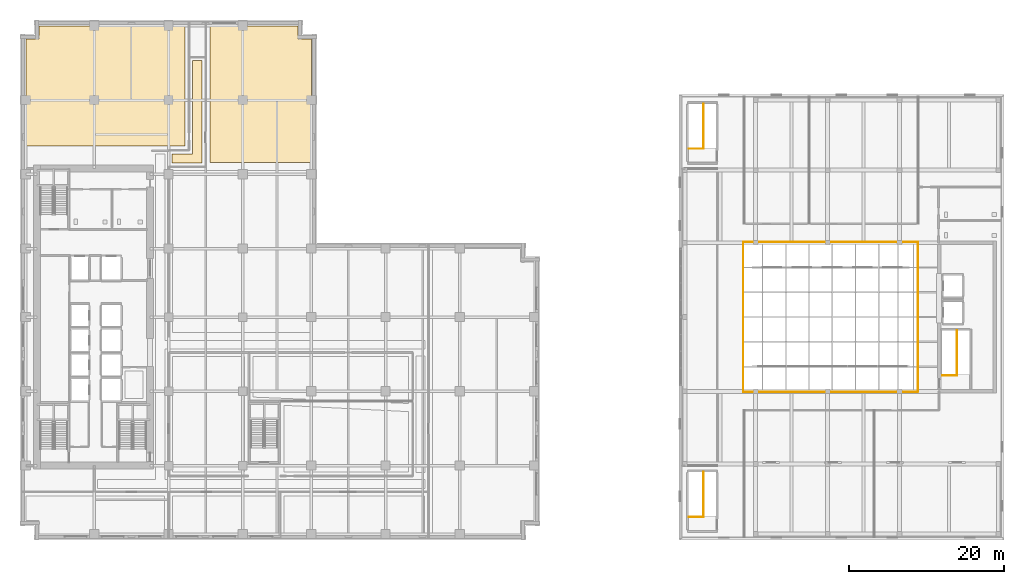
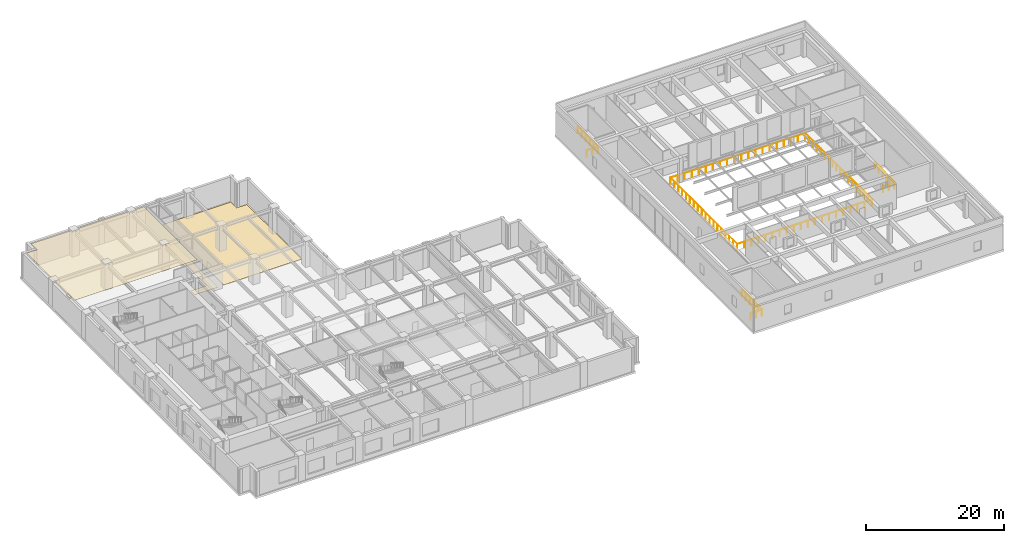
# One storey, part 20 of 21: 5 railings, 3 coverings.
"""IFC4 building model written with IfcOpenShell, lengths in metres."""

from ifc_helpers import new_model, si_unit, direction, frame, origin, origin_2d, place, context, subcontext, project, spatial, polyline, circle, outline, extrude, material, layer, layer_set, type_object, element, save


model = new_model("IFC4")

# Units and contexts
model_context = context("Model", 3, precision=1e-05, world=origin(), true_north=direction((0.0, 1.0)))
body_context = subcontext(model_context, "Body", "Model", "MODEL_VIEW")
ifc_project = project(units=[si_unit("LENGTHUNIT", "METRE"), si_unit("AREAUNIT", "SQUARE_METRE"), si_unit("VOLUMEUNIT", "CUBIC_METRE"), si_unit("PLANEANGLEUNIT", "RADIAN"), si_unit("MASSUNIT", "GRAM", prefix="KILO")], contexts=[model_context])

# Site, building, storey
site_placement = place(None, origin())
site = spatial("IfcSite", under=ifc_project, at=site_placement, CompositionType="ELEMENT")
building_placement = place(site_placement, origin())
building = spatial("IfcBuilding", under=site, at=building_placement, Name="Norrvale University Quadrangle", CompositionType="ELEMENT")
storey_placement = place(building_placement, frame((0.0, 0.0, 19.60009765625)))
storey = spatial("IfcBuildingStorey", under=building, at=storey_placement, Name="L04", CompositionType="ELEMENT", Elevation=19.60009765625)

# Coverings
ifc_material_1 = material(Name="Perforated Acoustic Mineral Ceiling")
ifc_layer_1 = layer(ifc_material_1, 0.02490234375, Name="Perforated Acoustic Mineral Ceiling")
ifc_layer_set_1 = layer_set([ifc_layer_1], Name="Perforated Acoustic Mineral Ceiling")
covering_type_1 = type_object("IfcCoveringType", Name="Covering Acoustic Ceiling 25", PredefinedType="CEILING", material=ifc_layer_set_1)
covering_1_placement = place(storey_placement, frame((0.0, 0.0, 4.31494140625)))
element("IfcCovering", 1, at=covering_1_placement, inside=storey, type_object=covering_type_1, Name="Acoustic Ceiling RM-L04-NW01", PredefinedType="CEILING", context=body_context, shape_type="SweptSolid", body=[
    extrude(outline(polyline([(21.320068359375, 66.449951171875), (21.320068359375, 50.8798828125), (0.75, 50.8798828125), (0.75, 64.72998046875), (2.469970703125, 64.72998046875), (2.469970703125, 66.449951171875), (21.320068359375, 66.449951171875)])), origin(), (0.0, 0.0, 1.0), 0.02490234375),
])
ifc_material_2 = material(Name="Polished Terrazzo Flooring")
ifc_layer_2 = layer(ifc_material_2, 0.02490234375, Name="Polished Terrazzo Flooring")
ifc_layer_set_2 = layer_set([ifc_layer_2], Name="Polished Terrazzo Flooring")
covering_type_2 = type_object("IfcCoveringType", Name="Covering Terrazzo Floor 30", PredefinedType="FLOORING", material=ifc_layer_set_2)
covering_2_placement = place(storey_placement, origin())
element("IfcCovering", 2, at=covering_2_placement, inside=storey, type_object=covering_type_2, Name="Terrazzo Flooring RM-L04-NCJOG", PredefinedType="FLOORING", context=body_context, shape_type="SweptSolid", body=[
    extrude(outline(polyline([(19.64990234375, 48.699951171875), (19.64990234375, 49.89990234375), (22.300048828125, 49.89990234375), (22.300048828125, 61.949951171875), (23.550048828125, 61.949951171875), (23.550048828125, 48.699951171875), (19.64990234375, 48.699951171875)])), origin(), (0.0, 0.0, 1.0), 0.02490234375),
])
covering_3_placement = place(storey_placement, origin())
element("IfcCovering", 3, at=covering_3_placement, inside=storey, type_object=covering_type_2, Name="Terrazzo Flooring RM-L04-NE01", PredefinedType="FLOORING", context=body_context, shape_type="SweptSolid", body=[
    extrude(outline(polyline([(37.64990234375, 48.780029296875), (24.530029296875, 48.780029296875), (24.530029296875, 66.449951171875), (35.929931640625, 66.449951171875), (35.929931640625, 64.72998046875), (37.64990234375, 64.72998046875), (37.64990234375, 48.780029296875)])), origin(), (0.0, 0.0, 1.0), 0.02490234375),
])

# Railings
ifc_material_3 = material(Name="Steel 350W Painted Balustrade", Category="steel")
railing_type_1 = type_object("IfcRailingType", Name="Railing Stair Guard 1100", PredefinedType="GUARDRAIL", material=ifc_material_3)
railing_1_placement = place(storey_placement, frame((119.239990234375, 21.260009765625, 0.0)))
element("IfcRailing", 4, at=railing_1_placement, inside=storey, type_object=railing_type_1, Name="Top Stairwell Guard ST-L1 L04", PredefinedType="GUARDRAIL", context=body_context, shape_type="SweptSolid", body=[
    extrude(circle(Radius=0.02392578125, at=origin_2d()), frame((0.0, 0.0, 1.1259765625), z_axis=(1.0, 0.0, 0.0), x_axis=(0.0, 1.0, 0.0)), (0.0, 0.0, 1.0), 1.89990234375),
    extrude(circle(Radius=0.02392578125, at=origin_2d()), frame((1.89990234375, 0.0, 1.1259765625), z_axis=(0.0, 1.0, 0.0), x_axis=(-1.0, 0.0, 0.0)), (0.0, 0.0, 1.0), 5.800048828125),
    extrude(circle(Radius=0.02099609375, at=origin_2d()), origin(), (0.0, 0.0, 1.0), 1.101806640625),
    extrude(circle(Radius=0.02099609375, at=origin_2d()), frame((0.949951171875, 0.0, 0.0)), (0.0, 0.0, 1.0), 1.101806640625),
    extrude(circle(Radius=0.02099609375, at=origin_2d()), frame((1.89990234375, 0.0, 0.0)), (0.0, 0.0, 1.0), 1.101806640625),
    extrude(circle(Radius=0.02099609375, at=origin_2d()), frame((1.89990234375, 1.159912109375, 0.0)), (0.0, 0.0, 1.0), 1.101806640625),
    extrude(circle(Radius=0.02099609375, at=origin_2d()), frame((1.89990234375, 2.320068359375, 0.0)), (0.0, 0.0, 1.0), 1.101806640625),
    extrude(circle(Radius=0.02099609375, at=origin_2d()), frame((1.89990234375, 3.47998046875, 0.0)), (0.0, 0.0, 1.0), 1.101806640625),
    extrude(circle(Radius=0.02099609375, at=origin_2d()), frame((1.89990234375, 4.64013671875, 0.0)), (0.0, 0.0, 1.0), 1.101806640625),
    extrude(circle(Radius=0.02099609375, at=origin_2d()), frame((1.89990234375, 5.800048828125, 0.0)), (0.0, 0.0, 1.0), 1.101806640625),
])
for number, where, name in (
    (5, (86.43994140625, 2.9599609375, 0.0), "Top Stairwell Guard ST-L2 L04"),
    (6, (86.43994140625, 50.56005859375, 0.0), "Top Stairwell Guard ST-L3 L04"),
):
    element("IfcRailing", number, at=place(storey_placement, frame(where)), inside=storey, type_object=railing_type_1, Name=name, PredefinedType="GUARDRAIL", context=body_context, shape_type="SweptSolid", body=[
        extrude(circle(Radius=0.02392578125, at=origin_2d()), frame((0.0, 0.0, 1.1259765625), z_axis=(1.0, 0.0, 0.0), x_axis=(0.0, 1.0, 0.0)), (0.0, 0.0, 1.0), 1.900146484375),
        extrude(circle(Radius=0.02392578125, at=origin_2d()), frame((1.900146484375, 0.0, 1.1259765625), z_axis=(0.0, 1.0, 0.0), x_axis=(-1.0, 0.0, 0.0)), (0.0, 0.0, 1.0), 5.800048828125),
        extrude(circle(Radius=0.02099609375, at=origin_2d()), origin(), (0.0, 0.0, 1.0), 1.101806640625),
        extrude(circle(Radius=0.02099609375, at=origin_2d()), frame((0.9501953125, 0.0, 0.0)), (0.0, 0.0, 1.0), 1.101806640625),
        extrude(circle(Radius=0.02099609375, at=origin_2d()), frame((1.900146484375, 0.0, 0.0)), (0.0, 0.0, 1.0), 1.101806640625),
        extrude(circle(Radius=0.02099609375, at=origin_2d()), frame((1.900146484375, 1.159912109375, 0.0)), (0.0, 0.0, 1.0), 1.101806640625),
        extrude(circle(Radius=0.02099609375, at=origin_2d()), frame((1.900146484375, 2.320068359375, 0.0)), (0.0, 0.0, 1.0), 1.101806640625),
        extrude(circle(Radius=0.02099609375, at=origin_2d()), frame((1.900146484375, 3.47998046875, 0.0)), (0.0, 0.0, 1.0), 1.101806640625),
        extrude(circle(Radius=0.02099609375, at=origin_2d()), frame((1.900146484375, 4.64013671875, 0.0)), (0.0, 0.0, 1.0), 1.101806640625),
        extrude(circle(Radius=0.02099609375, at=origin_2d()), frame((1.900146484375, 5.800048828125, 0.0)), (0.0, 0.0, 1.0), 1.101806640625),
    ])
ifc_material_4 = material(Name="Stainless Steel 316L Balustrade", Category="steel")
railing_type_2 = type_object("IfcRailingType", Name="Railing Terrace Guard 1150", PredefinedType="BALUSTRADE", material=ifc_material_4)
railing_2_placement = place(storey_placement, frame((93.5, 38.4599609375, 0.0)))
element("IfcRailing", 7, at=railing_2_placement, inside=storey, type_object=railing_type_2, Name="Central Library Atrium Balustrade SW L04", PredefinedType="BALUSTRADE", context=body_context, shape_type="SweptSolid", body=[
    extrude(circle(Radius=0.02392578125, at=origin_2d()), frame((0.0, 0.0, 1.1259765625), z_axis=(0.0, -1.0, 0.0), x_axis=(1.0, 0.0, 0.0)), (0.0, 0.0, 1.0), 19.35986328125),
    extrude(circle(Radius=0.02392578125, at=origin_2d()), frame((0.0, -19.35986328125, 1.1259765625), z_axis=(1.0, 0.0, 0.0), x_axis=(0.0, 1.0, 0.0)), (0.0, 0.0, 1.0), 22.56005859375),
    extrude(circle(Radius=0.02099609375, at=origin_2d()), origin(), (0.0, 0.0, 1.0), 1.101806640625),
    extrude(circle(Radius=0.02099609375, at=origin_2d()), frame((0.0, -1.138916015625, 0.0)), (0.0, 0.0, 1.0), 1.101806640625),
    extrude(circle(Radius=0.02099609375, at=origin_2d()), frame((0.0, -2.277587890625, 0.0)), (0.0, 0.0, 1.0), 1.101806640625),
    extrude(circle(Radius=0.02099609375, at=origin_2d()), frame((0.0, -3.41650390625, 0.0)), (0.0, 0.0, 1.0), 1.101806640625),
    extrude(circle(Radius=0.02099609375, at=origin_2d()), frame((0.0, -4.55517578125, 0.0)), (0.0, 0.0, 1.0), 1.101806640625),
    extrude(circle(Radius=0.02099609375, at=origin_2d()), frame((0.0, -5.694091796875, 0.0)), (0.0, 0.0, 1.0), 1.101806640625),
    extrude(circle(Radius=0.02099609375, at=origin_2d()), frame((0.0, -6.8330078125, 0.0)), (0.0, 0.0, 1.0), 1.101806640625),
    extrude(circle(Radius=0.02099609375, at=origin_2d()), frame((0.0, -7.9716796875, 0.0)), (0.0, 0.0, 1.0), 1.101806640625),
    extrude(circle(Radius=0.02099609375, at=origin_2d()), frame((0.0, -9.110595703125, 0.0)), (0.0, 0.0, 1.0), 1.101806640625),
    extrude(circle(Radius=0.02099609375, at=origin_2d()), frame((0.0, -10.249267578125, 0.0)), (0.0, 0.0, 1.0), 1.101806640625),
    extrude(circle(Radius=0.02099609375, at=origin_2d()), frame((0.0, -11.38818359375, 0.0)), (0.0, 0.0, 1.0), 1.101806640625),
    extrude(circle(Radius=0.02099609375, at=origin_2d()), frame((0.0, -12.52685546875, 0.0)), (0.0, 0.0, 1.0), 1.101806640625),
    extrude(circle(Radius=0.02099609375, at=origin_2d()), frame((0.0, -13.665771484375, 0.0)), (0.0, 0.0, 1.0), 1.101806640625),
    extrude(circle(Radius=0.02099609375, at=origin_2d()), frame((0.0, -14.8046875, 0.0)), (0.0, 0.0, 1.0), 1.101806640625),
    extrude(circle(Radius=0.02099609375, at=origin_2d()), frame((0.0, -15.943359375, 0.0)), (0.0, 0.0, 1.0), 1.101806640625),
    extrude(circle(Radius=0.02099609375, at=origin_2d()), frame((0.0, -17.082275390625, 0.0)), (0.0, 0.0, 1.0), 1.101806640625),
    extrude(circle(Radius=0.02099609375, at=origin_2d()), frame((0.0, -18.220947265625, 0.0)), (0.0, 0.0, 1.0), 1.101806640625),
    extrude(circle(Radius=0.02099609375, at=origin_2d()), frame((0.0, -19.35986328125, 0.0)), (0.0, 0.0, 1.0), 1.101806640625),
    extrude(circle(Radius=0.02099609375, at=origin_2d()), frame((1.187255859375, -19.35986328125, 0.0)), (0.0, 0.0, 1.0), 1.101806640625),
    extrude(circle(Radius=0.02099609375, at=origin_2d()), frame((2.374755859375, -19.35986328125, 0.0)), (0.0, 0.0, 1.0), 1.101806640625),
    extrude(circle(Radius=0.02099609375, at=origin_2d()), frame((3.56201171875, -19.35986328125, 0.0)), (0.0, 0.0, 1.0), 1.101806640625),
    extrude(circle(Radius=0.02099609375, at=origin_2d()), frame((4.74951171875, -19.35986328125, 0.0)), (0.0, 0.0, 1.0), 1.101806640625),
    extrude(circle(Radius=0.02099609375, at=origin_2d()), frame((5.936767578125, -19.35986328125, 0.0)), (0.0, 0.0, 1.0), 1.101806640625),
    extrude(circle(Radius=0.02099609375, at=origin_2d()), frame((7.124267578125, -19.35986328125, 0.0)), (0.0, 0.0, 1.0), 1.101806640625),
    extrude(circle(Radius=0.02099609375, at=origin_2d()), frame((8.3115234375, -19.35986328125, 0.0)), (0.0, 0.0, 1.0), 1.101806640625),
    extrude(circle(Radius=0.02099609375, at=origin_2d()), frame((9.4990234375, -19.35986328125, 0.0)), (0.0, 0.0, 1.0), 1.101806640625),
    extrude(circle(Radius=0.02099609375, at=origin_2d()), frame((10.686279296875, -19.35986328125, 0.0)), (0.0, 0.0, 1.0), 1.101806640625),
    extrude(circle(Radius=0.02099609375, at=origin_2d()), frame((11.873779296875, -19.35986328125, 0.0)), (0.0, 0.0, 1.0), 1.101806640625),
    extrude(circle(Radius=0.02099609375, at=origin_2d()), frame((13.06103515625, -19.35986328125, 0.0)), (0.0, 0.0, 1.0), 1.101806640625),
    extrude(circle(Radius=0.02099609375, at=origin_2d()), frame((14.24853515625, -19.35986328125, 0.0)), (0.0, 0.0, 1.0), 1.101806640625),
    extrude(circle(Radius=0.02099609375, at=origin_2d()), frame((15.435791015625, -19.35986328125, 0.0)), (0.0, 0.0, 1.0), 1.101806640625),
    extrude(circle(Radius=0.02099609375, at=origin_2d()), frame((16.623291015625, -19.35986328125, 0.0)), (0.0, 0.0, 1.0), 1.101806640625),
    extrude(circle(Radius=0.02099609375, at=origin_2d()), frame((17.810546875, -19.35986328125, 0.0)), (0.0, 0.0, 1.0), 1.101806640625),
    extrude(circle(Radius=0.02099609375, at=origin_2d()), frame((18.998046875, -19.35986328125, 0.0)), (0.0, 0.0, 1.0), 1.101806640625),
    extrude(circle(Radius=0.02099609375, at=origin_2d()), frame((20.185302734375, -19.35986328125, 0.0)), (0.0, 0.0, 1.0), 1.101806640625),
    extrude(circle(Radius=0.02099609375, at=origin_2d()), frame((21.372802734375, -19.35986328125, 0.0)), (0.0, 0.0, 1.0), 1.101806640625),
    extrude(circle(Radius=0.02099609375, at=origin_2d()), frame((22.56005859375, -19.35986328125, 0.0)), (0.0, 0.0, 1.0), 1.101806640625),
])
railing_3_placement = place(storey_placement, frame((93.5400390625, 38.5, 0.0)))
element("IfcRailing", 8, at=railing_3_placement, inside=storey, type_object=railing_type_2, Name="Central Library Atrium Balustrade NE L04", PredefinedType="BALUSTRADE", context=body_context, shape_type="SweptSolid", body=[
    extrude(circle(Radius=0.02392578125, at=origin_2d()), frame((0.0, 0.0, 1.1259765625), z_axis=(1.0, 0.0, 0.0), x_axis=(0.0, 1.0, 0.0)), (0.0, 0.0, 1.0), 22.56005859375),
    extrude(circle(Radius=0.02392578125, at=origin_2d()), frame((22.56005859375, 0.0, 1.1259765625), z_axis=(0.0, -1.0, 0.0), x_axis=(1.0, 0.0, 0.0)), (0.0, 0.0, 1.0), 19.360107421875),
    extrude(circle(Radius=0.02099609375, at=origin_2d()), origin(), (0.0, 0.0, 1.0), 1.101806640625),
    extrude(circle(Radius=0.02099609375, at=origin_2d()), frame((1.187255859375, 0.0, 0.0)), (0.0, 0.0, 1.0), 1.101806640625),
    extrude(circle(Radius=0.02099609375, at=origin_2d()), frame((2.374755859375, 0.0, 0.0)), (0.0, 0.0, 1.0), 1.101806640625),
    extrude(circle(Radius=0.02099609375, at=origin_2d()), frame((3.56201171875, 0.0, 0.0)), (0.0, 0.0, 1.0), 1.101806640625),
    extrude(circle(Radius=0.02099609375, at=origin_2d()), frame((4.74951171875, 0.0, 0.0)), (0.0, 0.0, 1.0), 1.101806640625),
    extrude(circle(Radius=0.02099609375, at=origin_2d()), frame((5.936767578125, 0.0, 0.0)), (0.0, 0.0, 1.0), 1.101806640625),
    extrude(circle(Radius=0.02099609375, at=origin_2d()), frame((7.124267578125, 0.0, 0.0)), (0.0, 0.0, 1.0), 1.101806640625),
    extrude(circle(Radius=0.02099609375, at=origin_2d()), frame((8.3115234375, 0.0, 0.0)), (0.0, 0.0, 1.0), 1.101806640625),
    extrude(circle(Radius=0.02099609375, at=origin_2d()), frame((9.4990234375, 0.0, 0.0)), (0.0, 0.0, 1.0), 1.101806640625),
    extrude(circle(Radius=0.02099609375, at=origin_2d()), frame((10.686279296875, 0.0, 0.0)), (0.0, 0.0, 1.0), 1.101806640625),
    extrude(circle(Radius=0.02099609375, at=origin_2d()), frame((11.873779296875, 0.0, 0.0)), (0.0, 0.0, 1.0), 1.101806640625),
    extrude(circle(Radius=0.02099609375, at=origin_2d()), frame((13.06103515625, 0.0, 0.0)), (0.0, 0.0, 1.0), 1.101806640625),
    extrude(circle(Radius=0.02099609375, at=origin_2d()), frame((14.24853515625, 0.0, 0.0)), (0.0, 0.0, 1.0), 1.101806640625),
    extrude(circle(Radius=0.02099609375, at=origin_2d()), frame((15.435791015625, 0.0, 0.0)), (0.0, 0.0, 1.0), 1.101806640625),
    extrude(circle(Radius=0.02099609375, at=origin_2d()), frame((16.623291015625, 0.0, 0.0)), (0.0, 0.0, 1.0), 1.101806640625),
    extrude(circle(Radius=0.02099609375, at=origin_2d()), frame((17.810546875, 0.0, 0.0)), (0.0, 0.0, 1.0), 1.101806640625),
    extrude(circle(Radius=0.02099609375, at=origin_2d()), frame((18.998046875, 0.0, 0.0)), (0.0, 0.0, 1.0), 1.101806640625),
    extrude(circle(Radius=0.02099609375, at=origin_2d()), frame((20.185302734375, 0.0, 0.0)), (0.0, 0.0, 1.0), 1.101806640625),
    extrude(circle(Radius=0.02099609375, at=origin_2d()), frame((21.372802734375, 0.0, 0.0)), (0.0, 0.0, 1.0), 1.101806640625),
    extrude(circle(Radius=0.02099609375, at=origin_2d()), frame((22.56005859375, 0.0, 0.0)), (0.0, 0.0, 1.0), 1.101806640625),
    extrude(circle(Radius=0.02099609375, at=origin_2d()), frame((22.56005859375, -1.138916015625, 0.0)), (0.0, 0.0, 1.0), 1.101806640625),
    extrude(circle(Radius=0.02099609375, at=origin_2d()), frame((22.56005859375, -2.277587890625, 0.0)), (0.0, 0.0, 1.0), 1.101806640625),
    extrude(circle(Radius=0.02099609375, at=origin_2d()), frame((22.56005859375, -3.41650390625, 0.0)), (0.0, 0.0, 1.0), 1.101806640625),
    extrude(circle(Radius=0.02099609375, at=origin_2d()), frame((22.56005859375, -4.555419921875, 0.0)), (0.0, 0.0, 1.0), 1.101806640625),
    extrude(circle(Radius=0.02099609375, at=origin_2d()), frame((22.56005859375, -5.694091796875, 0.0)), (0.0, 0.0, 1.0), 1.101806640625),
    extrude(circle(Radius=0.02099609375, at=origin_2d()), frame((22.56005859375, -6.8330078125, 0.0)), (0.0, 0.0, 1.0), 1.101806640625),
    extrude(circle(Radius=0.02099609375, at=origin_2d()), frame((22.56005859375, -7.971923828125, 0.0)), (0.0, 0.0, 1.0), 1.101806640625),
    extrude(circle(Radius=0.02099609375, at=origin_2d()), frame((22.56005859375, -9.110595703125, 0.0)), (0.0, 0.0, 1.0), 1.101806640625),
    extrude(circle(Radius=0.02099609375, at=origin_2d()), frame((22.56005859375, -10.24951171875, 0.0)), (0.0, 0.0, 1.0), 1.101806640625),
    extrude(circle(Radius=0.02099609375, at=origin_2d()), frame((22.56005859375, -11.38818359375, 0.0)), (0.0, 0.0, 1.0), 1.101806640625),
    extrude(circle(Radius=0.02099609375, at=origin_2d()), frame((22.56005859375, -12.527099609375, 0.0)), (0.0, 0.0, 1.0), 1.101806640625),
    extrude(circle(Radius=0.02099609375, at=origin_2d()), frame((22.56005859375, -13.666015625, 0.0)), (0.0, 0.0, 1.0), 1.101806640625),
    extrude(circle(Radius=0.02099609375, at=origin_2d()), frame((22.56005859375, -14.8046875, 0.0)), (0.0, 0.0, 1.0), 1.101806640625),
    extrude(circle(Radius=0.02099609375, at=origin_2d()), frame((22.56005859375, -15.943603515625, 0.0)), (0.0, 0.0, 1.0), 1.101806640625),
    extrude(circle(Radius=0.02099609375, at=origin_2d()), frame((22.56005859375, -17.08251953125, 0.0)), (0.0, 0.0, 1.0), 1.101806640625),
    extrude(circle(Radius=0.02099609375, at=origin_2d()), frame((22.56005859375, -18.22119140625, 0.0)), (0.0, 0.0, 1.0), 1.101806640625),
    extrude(circle(Radius=0.02099609375, at=origin_2d()), frame((22.56005859375, -19.360107421875, 0.0)), (0.0, 0.0, 1.0), 1.101806640625),
])

save(model, "model.ifc")
